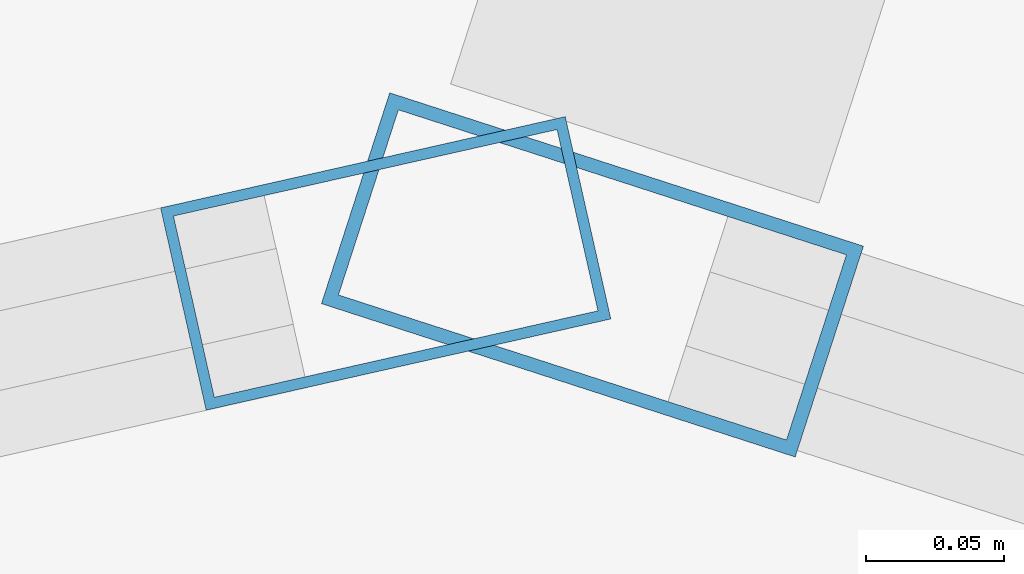
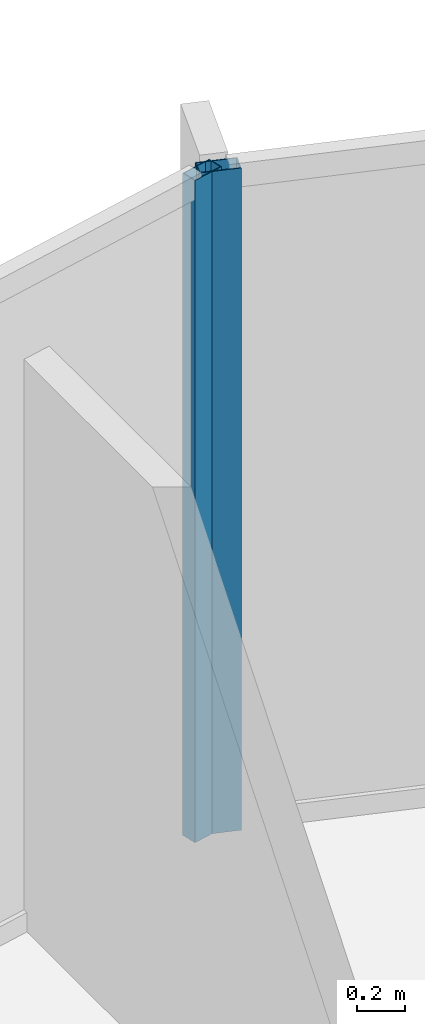
# One storey, part 21 of 33: 2 members, 2 elements without a shape of their own.
"""IFC4 building model written with IfcOpenShell, lengths in metres."""

import ifcopenshell
import ifcopenshell.guid

model = None  # the IFC model being written
_history = None  # IfcOwnerHistory: only IFC2X3 demands one
_inside = {}  # id of a spatial element -> (the spatial element, [elements in it])
_under = {}  # id of a project, library or spatial element -> (it, [spatial elements below it])
_declared = {}  # id of a project -> (the project, [libraries it declares])
_typed = {}  # id of a type object -> (the type object, [elements of that type])
_made_of = {}  # id of a material, layer set ... -> (it, [elements and type objects made of it])


def new_model(schema):
    """Start an empty IFC model of exactly this schema.

    Asked for "IFC4X3", IfcOpenShell would pick the latest addendum, in which some entities
    have other attributes; the version numbers below select the first issue.
    IFC2X3 requires an IfcOwnerHistory on every rooted entity: one is made here for all.
    """
    global model, _history
    if schema == "IFC4X3":
        model = ifcopenshell.file(schema_version=(4, 3, 0, 0))
    else:
        model = ifcopenshell.file(schema=schema)
    _inside.clear()
    _under.clear()
    _declared.clear()
    _typed.clear()
    _made_of.clear()
    _history = None
    if model.schema == "IFC2X3":
        org = make("IfcOrganization", Name="unknown")
        user = make(
            "IfcPersonAndOrganization",
            ThePerson=make("IfcPerson", FamilyName="unknown"),
            TheOrganization=org,
        )
        app = make(
            "IfcApplication",
            ApplicationDeveloper=org,
            Version="unknown",
            ApplicationFullName="unknown",
            ApplicationIdentifier="unknown",
        )
        _history = make(
            "IfcOwnerHistory",
            OwningUser=user,
            OwningApplication=app,
            ChangeAction="ADDED",
            CreationDate=0,
        )
    return model


def make(cls, **values):
    """One entity of the class cls with the attributes given. An attribute that is None is left unset."""
    return model.create_entity(
        cls, **{name: value for name, value in values.items() if value is not None}
    )


def rooted(cls, **values):
    """An entity with a GlobalId (a new one), such as an element, a storey or a relation."""
    return make(cls, GlobalId=ifcopenshell.guid.new(), OwnerHistory=_history, **values)


def si_unit(unit_type, name, prefix=None):
    """IfcSIUnit, for example si_unit("LENGTHUNIT", "METRE", prefix="MILLI")."""
    return make("IfcSIUnit", UnitType=unit_type, Prefix=prefix, Name=name)


def assignment(units):
    """IfcUnitAssignment: the units of a project."""
    return None if units is None else make("IfcUnitAssignment", Units=units)


def point(xyz):
    """IfcCartesianPoint."""
    return None if xyz is None else make("IfcCartesianPoint", Coordinates=xyz)


def direction(xyz):
    """IfcDirection."""
    return None if xyz is None else make("IfcDirection", DirectionRatios=xyz)


def frame(location, z_axis=None, x_axis=None):
    """IfcAxis2Placement3D, a coordinate frame: its origin and axes. An axis left out is left unset."""
    return make(
        "IfcAxis2Placement3D",
        Location=point(location),
        Axis=direction(z_axis),
        RefDirection=direction(x_axis),
    )


def frame_2d(location, x_axis=None):
    """IfcAxis2Placement2D, a coordinate frame in the plane: its origin and x axis."""
    return make(
        "IfcAxis2Placement2D", Location=point(location), RefDirection=direction(x_axis)
    )


def origin():
    """The frame at (0, 0, 0) with its axes left unset."""
    return frame((0.0, 0.0, 0.0))


def origin_2d():
    """The frame at (0, 0) in the plane with its x axis left unset."""
    return frame_2d((0.0, 0.0))


def place(relative_to, where):
    """IfcLocalPlacement: puts the frame where relative to a parent placement (None: the world)."""
    return make(
        "IfcLocalPlacement", PlacementRelTo=relative_to, RelativePlacement=where
    )


def context(
    kind, dimensions, precision=None, world=None, true_north=None, identifier=None
):
    """IfcGeometricRepresentationContext, for example the 3D "Model" context."""
    return make(
        "IfcGeometricRepresentationContext",
        ContextIdentifier=identifier,
        ContextType=kind,
        CoordinateSpaceDimension=dimensions,
        Precision=precision,
        WorldCoordinateSystem=world,
        TrueNorth=true_north,
    )


def subcontext(parent, identifier, kind, view, scale=None):
    """IfcGeometricRepresentationSubContext, for example "Body" below "Model"."""
    return make(
        "IfcGeometricRepresentationSubContext",
        ContextIdentifier=identifier,
        ContextType=kind,
        ParentContext=parent,
        TargetScale=scale,
        TargetView=view,
    )


def project(units=None, contexts=None):
    """IfcProject with its units and contexts."""
    return rooted(
        "IfcProject",
        Name="project",
        RepresentationContexts=contexts,
        UnitsInContext=assignment(units),
    )


def spatial(cls, under=None, at=None, **own):
    """A site, building, storey or space (cls), placed at a placement, below another one or the project."""
    s = rooted(cls, ObjectPlacement=at, **own)
    if under is not None:
        _under.setdefault(under.id(), (under, []))[1].append(s)
    return s


def profile(cls, at=None, kind="AREA", **sizes):
    """A parametric profile (cls). Its sizes go by their IFC names, for example OverallWidth=200.0."""
    return make(cls, ProfileType=kind, Position=at, **sizes)


def hollow_rectangle(**sizes):
    """IfcRectangleHollowProfileDef."""
    return profile("IfcRectangleHollowProfileDef", **sizes)


def extrude(swept, where, along, depth):
    """IfcExtrudedAreaSolid: the profile swept, set in the frame where, extruded along a direction by depth."""
    return make(
        "IfcExtrudedAreaSolid",
        SweptArea=swept,
        Position=where,
        ExtrudedDirection=direction(along),
        Depth=depth,
    )


def shape(context_of_items, identifier, shape_type, items):
    """IfcShapeRepresentation: the items that make up one representation, for example the "Body"."""
    return make(
        "IfcShapeRepresentation",
        ContextOfItems=context_of_items,
        RepresentationIdentifier=identifier,
        RepresentationType=shape_type,
        Items=items,
    )


def material(Name=None, Category=None):
    """IfcMaterial."""
    return make("IfcMaterial", Name=Name, Category=Category)


def layer(
    of_material, thickness, ventilated=None, Name=None, Category=None, Priority=None
):
    """IfcMaterialLayer: one layer of a wall or slab, of a material (None: an air gap)."""
    return make(
        "IfcMaterialLayer",
        Material=of_material,
        LayerThickness=thickness,
        IsVentilated=ventilated,
        Name=Name,
        Category=Category,
        Priority=Priority,
    )


def layer_set(layers, Name=None):
    """IfcMaterialLayerSet."""
    return make("IfcMaterialLayerSet", MaterialLayers=layers, LayerSetName=Name)


def material_profile(
    of_material, cross_section, Name=None, Category=None, Priority=None
):
    """IfcMaterialProfile: a cross section and its material."""
    return make(
        "IfcMaterialProfile",
        Name=Name,
        Material=of_material,
        Profile=cross_section,
        Priority=Priority,
        Category=Category,
    )


def profile_set(profiles, Name=None, composite=None):
    """IfcMaterialProfileSet."""
    return make(
        "IfcMaterialProfileSet",
        Name=Name,
        MaterialProfiles=profiles,
        CompositeProfile=composite,
    )


def made_of(thing, what):
    """Note that an element or type object is made of a material, layer set ...; save() writes the relation."""
    if what is not None:
        _made_of.setdefault(what.id(), (what, []))[1].append(thing)
    return thing


def type_object(cls, material=None, **own):
    """A type object (cls), such as IfcWallType, which elements share."""
    return made_of(rooted(cls, **own), material)


def element(
    cls,
    number,
    at=None,
    inside=None,
    cuts=None,
    type_object=None,
    material=None,
    context=None,
    identifier="Body",
    shape_type=None,
    held_by="IfcProductDefinitionShape",
    body=None,
    shapes=None,
    **own,
):
    """One element of the class cls, such as IfcWall. Its Tag is "e" and its number.

    at: its placement. inside: the storey or other place that contains it. cuts: it is an
    opening in that element (IfcRelVoidsElement). A single representation is given by context,
    identifier, shape_type and body (its items); several are given by shapes. held_by: the class
    of the entity that holds the representations. save() writes the other relations.
    """
    e = rooted(cls, Tag="e%d" % number, ObjectPlacement=at, **own)
    if body is not None:
        shapes = [shape(context, identifier, shape_type, body)]
    if shapes is not None:
        e.Representation = make(held_by, Representations=shapes)
    if inside is not None:
        _inside.setdefault(inside.id(), (inside, []))[1].append(e)
    if cuts is not None:
        rooted(
            "IfcRelVoidsElement", RelatingBuildingElement=cuts, RelatedOpeningElement=e
        )
    if type_object is not None:
        _typed.setdefault(type_object.id(), (type_object, []))[1].append(e)
    return made_of(e, material)


def aggregate(whole, parts):
    """IfcRelAggregates: a whole, such as a stair, and the parts it consists of."""
    return rooted("IfcRelAggregates", RelatingObject=whole, RelatedObjects=parts)


def save(model, path):
    """Write the relations noted so far, then the file.

    IfcRelAggregates (storeys below a building ...), IfcRelContainedInSpatialStructure (elements
    in a storey), IfcRelDefinesByType, IfcRelAssociatesMaterial and IfcRelDeclares: one each for
    every whole, place, type object, material and project.
    """
    for whole, parts in _under.values():
        aggregate(whole, parts)
    for where, things in _inside.values():
        rooted(
            "IfcRelContainedInSpatialStructure",
            RelatedElements=things,
            RelatingStructure=where,
        )
    for kind, things in _typed.values():
        rooted("IfcRelDefinesByType", RelatedObjects=things, RelatingType=kind)
    for what, things in _made_of.values():
        rooted("IfcRelAssociatesMaterial", RelatedObjects=things, RelatingMaterial=what)
    for by, libraries in _declared.values():
        rooted("IfcRelDeclares", RelatingContext=by, RelatedDefinitions=libraries)
    model.write(path)


model = new_model("IFC4")

# Units and contexts
model_context = context("Model", 3, precision=1e-05, world=origin(), true_north=direction((0.0, 1.0)))
body_context = subcontext(model_context, "Body", "Model", "MODEL_VIEW")
ifc_project = project(units=[si_unit("LENGTHUNIT", "METRE"), si_unit("AREAUNIT", "SQUARE_METRE"), si_unit("VOLUMEUNIT", "CUBIC_METRE"), si_unit("PLANEANGLEUNIT", "RADIAN"), si_unit("MASSUNIT", "GRAM", prefix="KILO")], contexts=[model_context])

# Site, building, storey
site_placement = place(None, origin())
site = spatial("IfcSite", under=ifc_project, at=site_placement, CompositionType="ELEMENT")
building_placement = place(site_placement, origin())
building = spatial("IfcBuilding", under=site, at=building_placement, Name="Kazevale Care Tower and Concert Hall", CompositionType="ELEMENT")
storey_placement = place(building_placement, frame((0.0, 0.0, 31.199951171875)))
storey = spatial("IfcBuildingStorey", under=building, at=storey_placement, Name="L07", CompositionType="ELEMENT", Elevation=31.199951171875)

# Curtain wall, member
ifc_material_1 = material(Name="Aluminium 6063-T6 and Low-E Glass", Category="aluminium")
ifc_layer_1 = layer(ifc_material_1, 0.179931640625)
ifc_layer_set_1 = layer_set([ifc_layer_1], Name="Aluminium 6063-T6 and Low-E Glass")
curtain_wall_type_1 = type_object("IfcCurtainWallType", Name="Convex Checkerboard Finned Curtain Wall CW-2", PredefinedType="NOTDEFINED", material=ifc_layer_set_1)
curtain_wall_1_placement = place(storey_placement, origin())
curtain_wall_1 = element("IfcCurtainWall", 1, at=curtain_wall_1_placement, inside=storey, type_object=curtain_wall_type_1, Name="cw:L07:f16", PredefinedType="NOTDEFINED")
ifc_material_2 = material(Name="Aluminium 6063-T6", Category="aluminium")
ifc_material_profile_1 = material_profile(ifc_material_2, hollow_rectangle(XDim=0.080078125, YDim=0.179931640625, WallThickness=0.0048828125, at=origin_2d()), Name="ALU80x180x5")
ifc_profile_set_1 = profile_set([ifc_material_profile_1], Name="Aluminium 6063-T6")
member_type_1 = type_object("IfcMemberType", Name="CW-2 Mullion ALU80x180x5", PredefinedType="MULLION", material=ifc_profile_set_1)
member_1_placement = place(storey_placement, frame((44.9970703125, 67.355712890625, 0.0), z_axis=(0.0, 0.0, 1.0), x_axis=(0.307925769029, 0.951410385043, 0.0)))
member_1 = element("IfcMember", 2, at=member_1_placement, type_object=member_type_1, Name="CW-2 mullion 1", PredefinedType="MULLION", context=body_context, shape_type="SweptSolid", body=[
    extrude(hollow_rectangle(XDim=0.080078125, YDim=0.179931640625, WallThickness=0.0048828125, at=origin_2d()), origin(), (0.0, 0.0, 1.0), 3.360107421875),
])
aggregate(curtain_wall_1, [member_1])

ifc_layer_2 = layer(ifc_material_1, 0.179931640625)
ifc_layer_set_2 = layer_set([ifc_layer_2], Name="Aluminium 6063-T6 and Low-E Glass")
curtain_wall_type_2 = type_object("IfcCurtainWallType", Name="Convex Recessed Sunroom Curtain Wall CW-3", PredefinedType="NOTDEFINED", material=ifc_layer_set_2)
curtain_wall_2_placement = place(storey_placement, origin())
curtain_wall_2 = element("IfcCurtainWall", 3, at=curtain_wall_2_placement, inside=storey, type_object=curtain_wall_type_2, Name="cw:L07:f15", PredefinedType="NOTDEFINED")
ifc_material_profile_2 = material_profile(ifc_material_2, hollow_rectangle(XDim=0.074951171875, YDim=0.14990234375, WallThickness=0.00390625, at=origin_2d()), Name="ALU75x150x4")
ifc_profile_set_2 = profile_set([ifc_material_profile_2], Name="Aluminium 6063-T6")
member_type_2 = type_object("IfcMemberType", Name="CW-3 Mullion ALU75x150x4", PredefinedType="MULLION", material=ifc_profile_set_2)
member_2_placement = place(storey_placement, frame((44.92236328125, 67.35986328125, 0.0), z_axis=(0.0, 0.0, 1.0), x_axis=(-0.219910670667, 0.975520013596, 0.0)))
member_2 = element("IfcMember", 4, at=member_2_placement, type_object=member_type_2, Name="CW-3 mullion 2", PredefinedType="MULLION", context=body_context, shape_type="SweptSolid", body=[
    extrude(hollow_rectangle(XDim=0.074951171875, YDim=0.14990234375, WallThickness=0.00390625, at=origin_2d()), origin(), (0.0, 0.0, 1.0), 3.360107421875),
])
aggregate(curtain_wall_2, [member_2])

save(model, "model.ifc")
